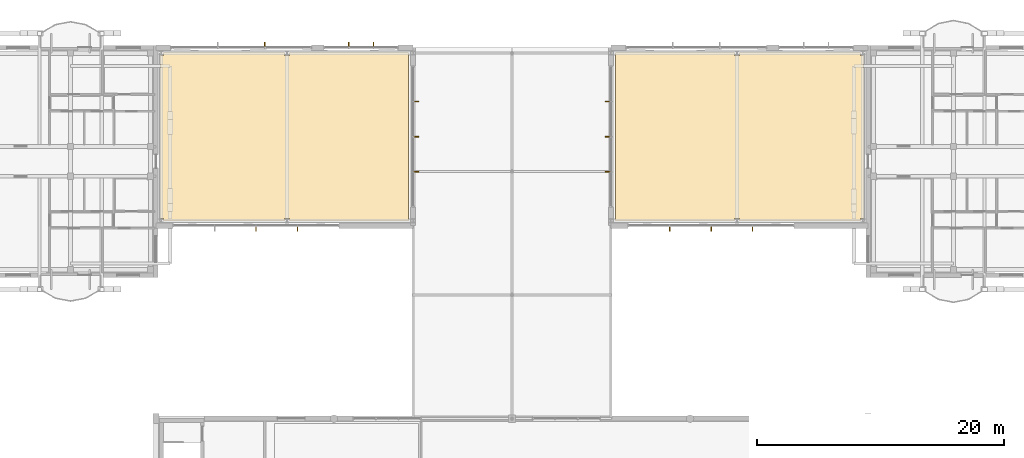
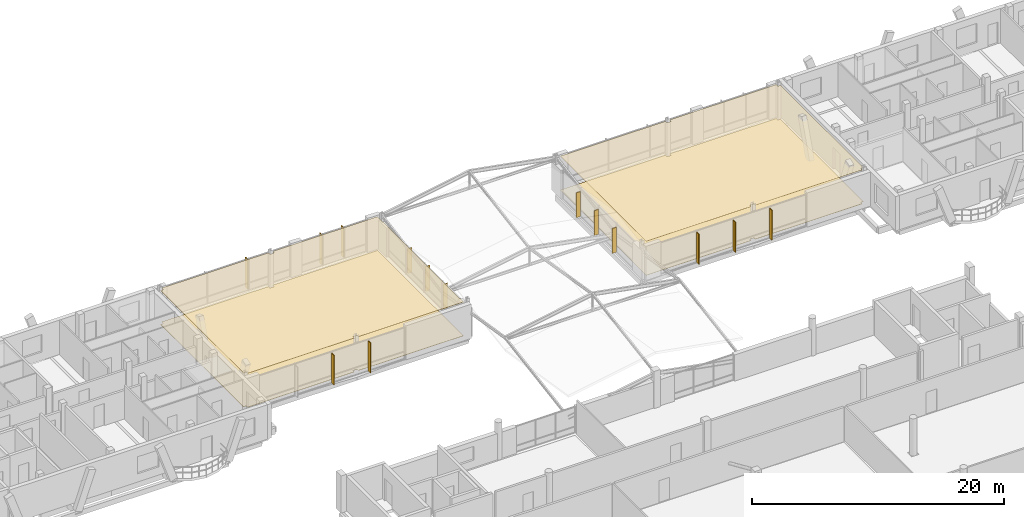
# One storey, part 183 of 189: 14 shading devices, 4 coverings.
"""IFC4 building model written with IfcOpenShell, lengths in metres."""

from ifc_helpers import new_model, si_unit, direction, frame, origin, origin_2d, place, context, subcontext, project, spatial, polyline, rectangle, outline, extrude, material, layer, layer_set, type_object, element, save


model = new_model("IFC4")

# Units and contexts
model_context = context("Model", 3, precision=1e-05, world=origin(), true_north=direction((0.0, 1.0)))
body_context = subcontext(model_context, "Body", "Model", "MODEL_VIEW")
ifc_project = project(units=[si_unit("LENGTHUNIT", "METRE"), si_unit("AREAUNIT", "SQUARE_METRE"), si_unit("VOLUMEUNIT", "CUBIC_METRE"), si_unit("PLANEANGLEUNIT", "RADIAN"), si_unit("MASSUNIT", "GRAM", prefix="KILO")], contexts=[model_context])

# Site, building, storey
site_placement = place(None, origin())
site = spatial("IfcSite", under=ifc_project, at=site_placement, CompositionType="ELEMENT")
building_placement = place(site_placement, origin())
building = spatial("IfcBuilding", under=site, at=building_placement, Name="Zavelmont Quarter", CompositionType="ELEMENT")
storey_placement = place(building_placement, frame((0.0, 0.0, 4.39990234375)))
storey = spatial("IfcBuildingStorey", under=building, at=storey_placement, Name="L01", CompositionType="ELEMENT", Elevation=4.39990234375)

# Coverings
ifc_material_1 = material(Name="Perforated acoustic gypsum board")
ifc_layer_1 = layer(ifc_material_1, 0.02490234375)
ifc_layer_set_1 = layer_set([ifc_layer_1], Name="Perforated acoustic gypsum board")
covering_type_1 = type_object("IfcCoveringType", Name="CV-CL01", PredefinedType="CEILING", material=ifc_layer_set_1)
covering_1_placement = place(storey_placement, frame((0.0, 0.0, 3.28515625)))
element("IfcCovering", 1, at=covering_1_placement, inside=storey, type_object=covering_type_1, Name="L01 Multipurpose Civic Studio acoustic ceiling", PredefinedType="CEILING", context=body_context, shape_type="SweptSolid", body=[
    extrude(outline(polyline([(92.3798828125, 115.6201171875), (102.010009765625, 115.6201171875), (102.010009765625, 115.3701171875), (102.389892578125, 115.3701171875), (102.389892578125, 115.6201171875), (112.169921875, 115.6201171875), (112.169921875, 115.3701171875), (112.419921875, 115.3701171875), (112.419921875, 102.18994140625), (112.169921875, 102.18994140625), (112.169921875, 101.97998046875), (102.389892578125, 101.97998046875), (102.389892578125, 102.18994140625), (102.010009765625, 102.18994140625), (102.010009765625, 101.97998046875), (92.3798828125, 101.97998046875), (92.3798828125, 115.6201171875)])), origin(), (0.0, 0.0, 1.0), 0.02490234375),
])
ifc_material_2 = material(Name="Slatted European ash acoustic baffle ceiling")
ifc_layer_2 = layer(ifc_material_2, 0.0400390625)
ifc_layer_set_2 = layer_set([ifc_layer_2], Name="Slatted European ash acoustic baffle ceiling")
covering_type_2 = type_object("IfcCoveringType", Name="CV-CL02", PredefinedType="CEILING", material=ifc_layer_set_2)
covering_2_placement = place(storey_placement, frame((0.0, 0.0, 3.27001953125)))
element("IfcCovering", 2, at=covering_2_placement, inside=storey, type_object=covering_type_2, Name="L01 Cafe Upper Terrace Lounge acoustic ceiling", PredefinedType="CEILING", context=body_context, shape_type="SweptSolid", body=[
    extrude(outline(polyline([(55.580078125, 115.3701171875), (55.830078125, 115.3701171875), (55.830078125, 115.6201171875), (65.610107421875, 115.6201171875), (65.610107421875, 115.3701171875), (65.989990234375, 115.3701171875), (65.989990234375, 115.6201171875), (75.6201171875, 115.6201171875), (75.6201171875, 101.97998046875), (65.989990234375, 101.97998046875), (65.989990234375, 102.18994140625), (65.610107421875, 102.18994140625), (65.610107421875, 101.97998046875), (55.830078125, 101.97998046875), (55.830078125, 102.18994140625), (55.580078125, 102.18994140625), (55.580078125, 115.3701171875)])), origin(), (0.0, 0.0, 1.0), 0.0400390625),
])
ifc_material_3 = material(Name="Engineered European oak parquet")
ifc_layer_3 = layer(ifc_material_3, 0.02197265625)
ifc_layer_set_3 = layer_set([ifc_layer_3], Name="Engineered European oak parquet")
covering_type_3 = type_object("IfcCoveringType", Name="CV-FL01", PredefinedType="FLOORING", material=ifc_layer_set_3)
covering_3_placement = place(storey_placement, origin())
element("IfcCovering", 3, at=covering_3_placement, inside=storey, type_object=covering_type_3, Name="L01 Multipurpose Civic Studio floor finish", PredefinedType="FLOORING", context=body_context, shape_type="SweptSolid", body=[
    extrude(outline(polyline([(92.3798828125, 115.6201171875), (102.010009765625, 115.6201171875), (102.010009765625, 115.3701171875), (102.389892578125, 115.3701171875), (102.389892578125, 115.6201171875), (112.169921875, 115.6201171875), (112.169921875, 115.3701171875), (112.419921875, 115.3701171875), (112.419921875, 102.18994140625), (112.169921875, 102.18994140625), (112.169921875, 101.97998046875), (102.389892578125, 101.97998046875), (102.389892578125, 102.18994140625), (102.010009765625, 102.18994140625), (102.010009765625, 101.97998046875), (92.3798828125, 101.97998046875), (92.3798828125, 115.6201171875)])), origin(), (0.0, 0.0, 1.0), 0.022216796875),
])
ifc_material_4 = material(Name="Honed Belgian bluestone tile", Category="masonry")
ifc_layer_4 = layer(ifc_material_4, 0.030029296875)
ifc_layer_set_4 = layer_set([ifc_layer_4], Name="Honed Belgian bluestone tile")
covering_type_4 = type_object("IfcCoveringType", Name="CV-FL02", PredefinedType="FLOORING", material=ifc_layer_set_4)
covering_4_placement = place(storey_placement, origin())
element("IfcCovering", 4, at=covering_4_placement, inside=storey, type_object=covering_type_4, Name="L01 Cafe Upper Terrace Lounge floor finish", PredefinedType="FLOORING", context=body_context, shape_type="SweptSolid", body=[
    extrude(outline(polyline([(55.580078125, 115.3701171875), (55.830078125, 115.3701171875), (55.830078125, 115.6201171875), (65.610107421875, 115.6201171875), (65.610107421875, 115.3701171875), (65.989990234375, 115.3701171875), (65.989990234375, 115.6201171875), (75.6201171875, 115.6201171875), (75.6201171875, 101.97998046875), (65.989990234375, 101.97998046875), (65.989990234375, 102.18994140625), (65.610107421875, 102.18994140625), (65.610107421875, 101.97998046875), (55.830078125, 101.97998046875), (55.830078125, 102.18994140625), (55.580078125, 102.18994140625), (55.580078125, 115.3701171875)])), origin(), (0.0, 0.0, 1.0), 0.030029296875),
])

# Shading devices
ifc_material_5 = material(Name="Anodised aluminium EN AW-6063-T6", Category="aluminium")
shading_device_type_1 = type_object("IfcShadingDeviceType", Name="SD05", PredefinedType="JALOUSIE", material=ifc_material_5)
for number, where, z_axis, x_axis, name in (
    (5, (64.0, 116.260009765625, 0.050048828125), (0.0, 0.0, 1.0), (1.0, 0.0, 0.0), "L01 solar brise-soleil fin SD05"),
    (6, (70.800048828125, 116.260009765625, 0.050048828125), (0.0, 0.0, 1.0), (1.0, 0.0, 0.0), "L01 solar brise-soleil fin SD05"),
    (7, (72.800048828125, 116.260009765625, 0.050048828125), (0.0, 0.0, 1.0), (1.0, 0.0, 0.0), "L01 solar brise-soleil fin SD05"),
    (8, (63.300048828125, 101.340087890625, 0.050048828125), (0.0, 0.0, 1.0), (1.0, 0.0, 0.0), "L01 solar brise-soleil fin SD05"),
    (9, (66.64990234375, 101.340087890625, 0.050048828125), (0.0, 0.0, 1.0), (1.0, 0.0, 0.0), "L01 solar brise-soleil fin SD05"),
    (10, (96.75, 101.340087890625, 0.050048828125), (0.0, 0.0, 1.0), (1.0, 0.0, 0.0), "L01 solar brise-soleil fin SD05"),
    (11, (100.10009765625, 101.340087890625, 0.050048828125), (0.0, 0.0, 1.0), (1.0, 0.0, 0.0), "L01 solar brise-soleil fin SD05"),
    (12, (103.449951171875, 101.340087890625, 0.050048828125), (0.0, 0.0, 1.0), (1.0, 0.0, 0.0), "L01 solar brise-soleil fin SD05"),
):
    element("IfcShadingDevice", number, at=place(storey_placement, frame(where, z_axis=z_axis, x_axis=x_axis)), inside=storey, type_object=shading_device_type_1, Name=name, PredefinedType="JALOUSIE", context=body_context, shape_type="SweptSolid", body=[
        extrude(rectangle(XDim=0.070068359375, YDim=0.3798828125, at=origin_2d()), origin(), (0.0, 0.0, 1.0), 2.89990234375),
    ])
shading_device_type_2 = type_object("IfcShadingDeviceType", Name="SD06", PredefinedType="JALOUSIE", material=ifc_material_5)
for number, where, z_axis, x_axis, name in (
    (13, (76.260009765625, 105.949951171875, 0.050048828125), (0.0, 0.0, 1.0), (0.0, 1.0, 0.0), "L01 solar brise-soleil fin SD06"),
    (14, (76.260009765625, 108.800048828125, 0.050048828125), (0.0, 0.0, 1.0), (0.0, 1.0, 0.0), "L01 solar brise-soleil fin SD06"),
    (15, (76.260009765625, 111.64990234375, 0.050048828125), (0.0, 0.0, 1.0), (0.0, 1.0, 0.0), "L01 solar brise-soleil fin SD06"),
    (16, (91.739990234375, 105.949951171875, 0.050048828125), (0.0, 0.0, 1.0), (0.0, 1.0, 0.0), "L01 solar brise-soleil fin SD06"),
    (17, (91.739990234375, 108.800048828125, 0.050048828125), (0.0, 0.0, 1.0), (0.0, 1.0, 0.0), "L01 solar brise-soleil fin SD06"),
    (18, (91.739990234375, 111.64990234375, 0.050048828125), (0.0, 0.0, 1.0), (0.0, 1.0, 0.0), "L01 solar brise-soleil fin SD06"),
):
    element("IfcShadingDevice", number, at=place(storey_placement, frame(where, z_axis=z_axis, x_axis=x_axis)), inside=storey, type_object=shading_device_type_2, Name=name, PredefinedType="JALOUSIE", context=body_context, shape_type="SweptSolid", body=[
        extrude(rectangle(XDim=0.070068359375, YDim=0.3798828125, at=origin_2d()), origin(), (0.0, 0.0, 1.0), 2.39990234375),
    ])

save(model, "model.ifc")
